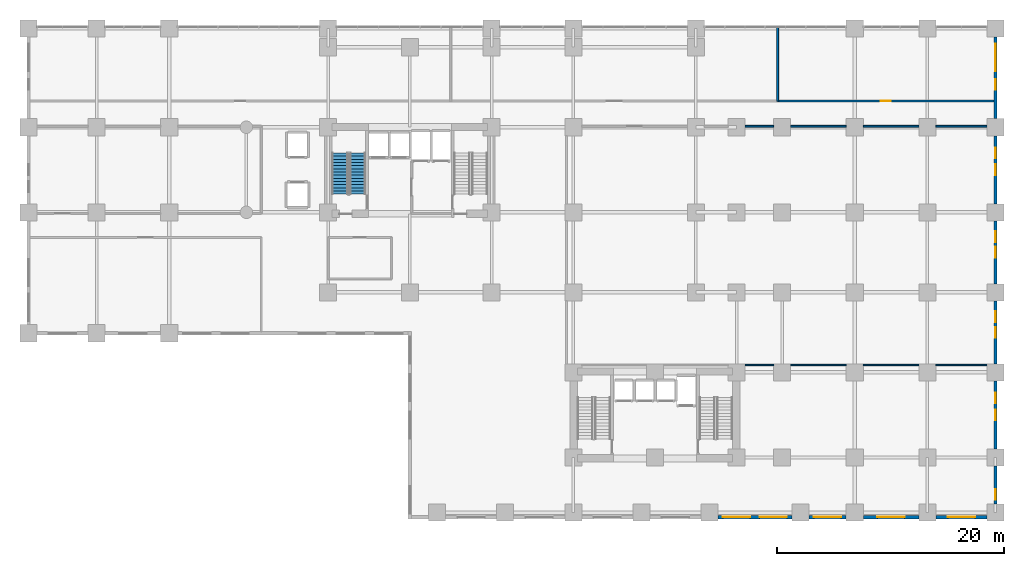
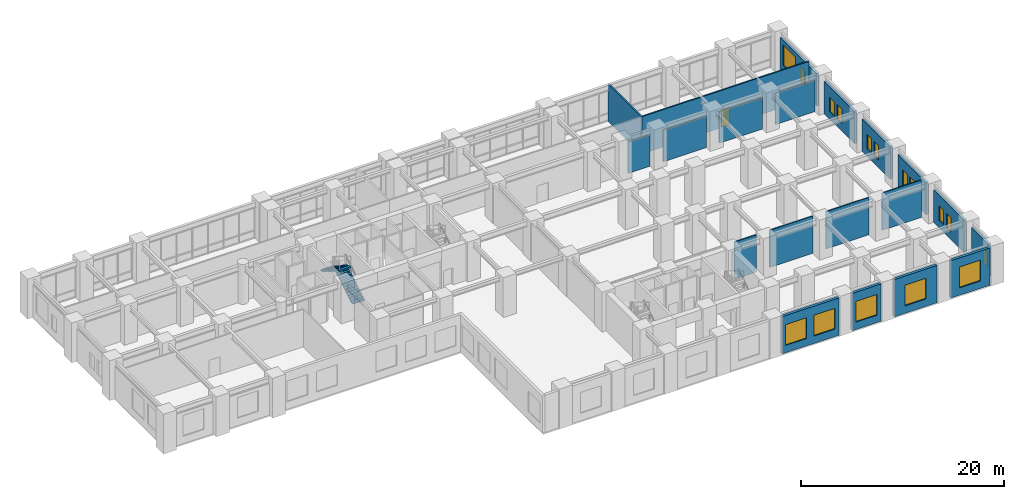
# One storey, part 18 of 22: 20 walls, 16 windows, 2 stair flights, 1 door, 17 openings, 1 element without a shape of its own.
"""IFC4 building model written with IfcOpenShell, lengths in metres."""

from ifc_helpers import new_model, si_unit, direction, frame, frame_2d, origin, place, context, subcontext, project, spatial, polyline, rectangle, outline, extrude, material, layer, layer_set, type_object, element, fill, aggregate, save


model = new_model("IFC4")

# Units and contexts
model_context = context("Model", 3, precision=1e-05, world=origin(), true_north=direction((0.0, 1.0)))
body_context = subcontext(model_context, "Body", "Model", "MODEL_VIEW")
ifc_project = project(units=[si_unit("LENGTHUNIT", "METRE"), si_unit("AREAUNIT", "SQUARE_METRE"), si_unit("VOLUMEUNIT", "CUBIC_METRE"), si_unit("PLANEANGLEUNIT", "RADIAN"), si_unit("MASSUNIT", "GRAM", prefix="KILO")], contexts=[model_context])

# Site, building, storey
site_placement = place(None, origin())
site = spatial("IfcSite", under=ifc_project, at=site_placement, CompositionType="ELEMENT")
building_placement = place(site_placement, origin())
building = spatial("IfcBuilding", under=site, at=building_placement, Name="Kaliganga Portal Commons", CompositionType="ELEMENT")
storey_placement = place(building_placement, frame((0.0, 0.0, 5.39990234375)))
storey = spatial("IfcBuildingStorey", under=building, at=storey_placement, Name="L01", CompositionType="ELEMENT", Elevation=5.39990234375)

# Wall, openings, windows
ifc_material_1 = material(Name="Precast concrete C40/50", Category="concrete")
ifc_layer_1 = layer(ifc_material_1, 0.300048828125)
ifc_layer_set_1 = layer_set([ifc_layer_1], Name="Precast concrete C40/50")
wall_type_1 = type_object("IfcWallType", Name="WL-EXT-POD-300", PredefinedType="STANDARD", material=ifc_layer_set_1)
wall_1_placement = place(storey_placement, frame((55.2490234375, 1.800048828125, 0.0), z_axis=(0.0, 0.0, 1.0), x_axis=(-1.0, 0.0, 0.0)))
wall_1 = element("IfcWall", 1, at=wall_1_placement, inside=storey, type_object=wall_type_1, Name="Exterior Envelope Wall L01 P1-E00-S6", PredefinedType="STANDARD", context=body_context, shape_type="SweptSolid", body=[
    extrude(rectangle(XDim=6.498046875, YDim=0.300048828125, at=frame_2d((3.2490234375, 0.0))), origin(), (0.0, 0.0, 1.0), 4.5),
])
opening_1_placement = place(wall_1_placement, frame((0.424560546875, 0.0, 0.89990234375)))
opening_1 = element("IfcOpeningElement", 2, at=opening_1_placement, cuts=wall_1, Name="Opening W-05", PredefinedType="OPENING", context=body_context, shape_type="SweptSolid", body=[
    extrude(rectangle(XDim=2.39990234375, YDim=2.5, at=frame_2d((1.199951171875, 1.25))), frame((0.0, 0.16015625, 0.0), z_axis=(0.0, -1.0, 0.0), x_axis=(1.0, 0.0, 0.0)), (0.0, 0.0, 1.0), 0.320068359375),
])
opening_2_placement = place(wall_1_placement, frame((3.673583984375, 0.0, 0.89990234375)))
opening_2 = element("IfcOpeningElement", 3, at=opening_2_placement, cuts=wall_1, Name="Opening W-05", PredefinedType="OPENING", context=body_context, shape_type="SweptSolid", body=[
    extrude(rectangle(XDim=2.39990234375, YDim=2.5, at=frame_2d((1.199951171875, 1.25))), frame((0.0, 0.16015625, 0.0), z_axis=(0.0, -1.0, 0.0), x_axis=(1.0, 0.0, 0.0)), (0.0, 0.0, 1.0), 0.320068359375),
])
ifc_material_2 = material(Name="Thermally Broken Aluminium and Low-E Double Glazing", Category="aluminium")
window_type_1 = type_object("IfcWindowType", Name="WIN-POD-2400", PartitioningType="TRIPLE_PANEL_VERTICAL", PredefinedType="WINDOW", material=ifc_material_2)
window_1_placement = place(opening_1_placement, origin())
window_1 = element("IfcWindow", 4, at=window_1_placement, inside=storey, type_object=window_type_1, Name="Facade Window L01-P1E00S6-00", OverallHeight=2.5, OverallWidth=2.39990234375, PartitioningType="SINGLE_PANEL", PredefinedType="WINDOW", context=body_context, shape_type="SweptSolid", body=[
    extrude(rectangle(XDim=2.39990234375, YDim=2.5, at=frame_2d((1.199951171875, 1.25))), frame((0.0, 0.030029296875, 0.0), z_axis=(0.0, -1.0, 0.0), x_axis=(1.0, 0.0, 0.0)), (0.0, 0.0, 1.0), 0.06005859375),
])
fill(opening_1, window_1)
window_2_placement = place(opening_2_placement, origin())
window_2 = element("IfcWindow", 5, at=window_2_placement, inside=storey, type_object=window_type_1, Name="Facade Window L01-P1E00S6-01", OverallHeight=2.5, OverallWidth=2.39990234375, PartitioningType="SINGLE_PANEL", PredefinedType="WINDOW", context=body_context, shape_type="SweptSolid", body=[
    extrude(rectangle(XDim=2.39990234375, YDim=2.5, at=frame_2d((1.199951171875, 1.25))), frame((0.0, 0.030029296875, 0.0), z_axis=(0.0, -1.0, 0.0), x_axis=(1.0, 0.0, 0.0)), (0.0, 0.0, 1.0), 0.06005859375),
])
fill(opening_2, window_2)

# Wall, opening, window
wall_2_placement = place(storey_placement, frame((60.049072265625, 1.800048828125, 0.0), z_axis=(0.0, 0.0, 1.0), x_axis=(-1.0, 0.0, 0.0)))
wall_2 = element("IfcWall", 6, at=wall_2_placement, inside=storey, type_object=wall_type_1, Name="Exterior Envelope Wall L01 P1-E00-S7", PredefinedType="STANDARD", context=body_context, shape_type="SweptSolid", body=[
    extrude(rectangle(XDim=3.298095703125, YDim=0.300048828125, at=frame_2d((1.64892578125, 0.0))), origin(), (0.0, 0.0, 1.0), 4.5),
])
opening_3_placement = place(wall_2_placement, frame((0.448974609375, 0.0, 0.89990234375)))
opening_3 = element("IfcOpeningElement", 7, at=opening_3_placement, cuts=wall_2, Name="Opening W-05", PredefinedType="OPENING", context=body_context, shape_type="SweptSolid", body=[
    extrude(rectangle(XDim=2.39990234375, YDim=2.5, at=frame_2d((1.199951171875, 1.25))), frame((0.0, 0.16015625, 0.0), z_axis=(0.0, -1.0, 0.0), x_axis=(1.0, 0.0, 0.0)), (0.0, 0.0, 1.0), 0.320068359375),
])
window_3_placement = place(opening_3_placement, origin())
window_3 = element("IfcWindow", 8, at=window_3_placement, inside=storey, type_object=window_type_1, Name="Facade Window L01-P1E00S7-00", OverallHeight=2.5, OverallWidth=2.39990234375, PartitioningType="SINGLE_PANEL", PredefinedType="WINDOW", context=body_context, shape_type="SweptSolid", body=[
    extrude(rectangle(XDim=2.39990234375, YDim=2.5, at=frame_2d((1.199951171875, 1.25))), frame((0.0, 0.030029296875, 0.0), z_axis=(0.0, -1.0, 0.0), x_axis=(1.0, 0.0, 0.0)), (0.0, 0.0, 1.0), 0.06005859375),
])
fill(opening_3, window_3)

wall_3_placement = place(storey_placement, frame((66.448974609375, 1.800048828125, 0.0), z_axis=(0.0, 0.0, 1.0), x_axis=(-1.0, 0.0, 0.0)))
wall_3 = element("IfcWall", 9, at=wall_3_placement, inside=storey, type_object=wall_type_1, Name="Exterior Envelope Wall L01 P1-E00-S8", PredefinedType="STANDARD", context=body_context, shape_type="SweptSolid", body=[
    extrude(rectangle(XDim=4.89794921875, YDim=0.300048828125, at=frame_2d((2.448974609375, 0.0))), origin(), (0.0, 0.0, 1.0), 4.5),
])
opening_4_placement = place(wall_3_placement, frame((1.2490234375, 0.0, 0.89990234375)))
opening_4 = element("IfcOpeningElement", 10, at=opening_4_placement, cuts=wall_3, Name="Opening W-05", PredefinedType="OPENING", context=body_context, shape_type="SweptSolid", body=[
    extrude(rectangle(XDim=2.39990234375, YDim=2.5, at=frame_2d((1.199951171875, 1.25))), frame((0.0, 0.16015625, 0.0), z_axis=(0.0, -1.0, 0.0), x_axis=(1.0, 0.0, 0.0)), (0.0, 0.0, 1.0), 0.320068359375),
])
window_4_placement = place(opening_4_placement, origin())
window_4 = element("IfcWindow", 11, at=window_4_placement, inside=storey, type_object=window_type_1, Name="Facade Window L01-P1E00S8-00", OverallHeight=2.5, OverallWidth=2.39990234375, PartitioningType="SINGLE_PANEL", PredefinedType="WINDOW", context=body_context, shape_type="SweptSolid", body=[
    extrude(rectangle(XDim=2.39990234375, YDim=2.5, at=frame_2d((1.199951171875, 1.25))), frame((0.0, 0.030029296875, 0.0), z_axis=(0.0, -1.0, 0.0), x_axis=(1.0, 0.0, 0.0)), (0.0, 0.0, 1.0), 0.06005859375),
])
fill(opening_4, window_4)

wall_4_placement = place(storey_placement, frame((72.448974609375, 1.800048828125, 0.0), z_axis=(0.0, 0.0, 1.0), x_axis=(-1.0, 0.0, 0.0)))
wall_4 = element("IfcWall", 12, at=wall_4_placement, inside=storey, type_object=wall_type_1, Name="Exterior Envelope Wall L01 P1-E00-S9", PredefinedType="STANDARD", context=body_context, shape_type="SweptSolid", body=[
    extrude(rectangle(XDim=4.498046875, YDim=0.300048828125, at=frame_2d((2.2490234375, 0.0))), origin(), (0.0, 0.0, 1.0), 4.5),
])
opening_5_placement = place(wall_4_placement, frame((1.049072265625, 0.0, 0.89990234375)))
opening_5 = element("IfcOpeningElement", 13, at=opening_5_placement, cuts=wall_4, Name="Opening W-05", PredefinedType="OPENING", context=body_context, shape_type="SweptSolid", body=[
    extrude(rectangle(XDim=2.39990234375, YDim=2.5, at=frame_2d((1.199951171875, 1.25))), frame((0.0, 0.16015625, 0.0), z_axis=(0.0, -1.0, 0.0), x_axis=(1.0, 0.0, 0.0)), (0.0, 0.0, 1.0), 0.320068359375),
])
window_5_placement = place(opening_5_placement, origin())
window_5 = element("IfcWindow", 14, at=window_5_placement, inside=storey, type_object=window_type_1, Name="Facade Window L01-P1E00S9-00", OverallHeight=2.5, OverallWidth=2.39990234375, PartitioningType="SINGLE_PANEL", PredefinedType="WINDOW", context=body_context, shape_type="SweptSolid", body=[
    extrude(rectangle(XDim=2.39990234375, YDim=2.5, at=frame_2d((1.199951171875, 1.25))), frame((0.0, 0.030029296875, 0.0), z_axis=(0.0, -1.0, 0.0), x_axis=(1.0, 0.0, 0.0)), (0.0, 0.0, 1.0), 0.06005859375),
])
fill(opening_5, window_5)

wall_5_placement = place(storey_placement, frame((73.199951171875, 6.299072265625, 0.0), z_axis=(0.0, 0.0, 1.0), x_axis=(0.0, -1.0, 0.0)))
wall_5 = element("IfcWall", 15, at=wall_5_placement, inside=storey, type_object=wall_type_1, Name="Exterior Envelope Wall L01 P1-E01-S1", PredefinedType="STANDARD", context=body_context, shape_type="SweptSolid", body=[
    extrude(rectangle(XDim=3.34814453125, YDim=0.300048828125, at=frame_2d((1.674072265625, 0.0))), origin(), (0.0, 0.0, 1.0), 3.900146484375),
])
opening_6_placement = place(wall_5_placement, frame((2.029296875, 0.0, 0.89990234375)))
opening_6 = element("IfcOpeningElement", 16, at=opening_6_placement, cuts=wall_5, Name="Opening W-04", PredefinedType="OPENING", context=body_context, shape_type="SweptSolid", body=[
    extrude(rectangle(XDim=0.949951171875, YDim=1.75, at=frame_2d((0.47509765625, 0.875))), frame((0.0, 0.16015625, 0.0), z_axis=(0.0, -1.0, 0.0), x_axis=(1.0, 0.0, 0.0)), (0.0, 0.0, 1.0), 0.320068359375),
])
window_type_2 = type_object("IfcWindowType", Name="WIN-NARROW-950", PartitioningType="SINGLE_PANEL", PredefinedType="WINDOW", material=ifc_material_2)
window_6_placement = place(opening_6_placement, origin())
window_6 = element("IfcWindow", 17, at=window_6_placement, inside=storey, type_object=window_type_2, Name="Facade Window L01-P1E01S1-N2", OverallHeight=1.75, OverallWidth=0.949951171875, PartitioningType="SINGLE_PANEL", PredefinedType="WINDOW", context=body_context, shape_type="SweptSolid", body=[
    extrude(rectangle(XDim=0.949951171875, YDim=1.75, at=frame_2d((0.47509765625, 0.875))), frame((0.0, 0.030029296875, 0.0), z_axis=(0.0, -1.0, 0.0), x_axis=(1.0, 0.0, 0.0)), (0.0, 0.0, 1.0), 0.06005859375),
])
fill(opening_6, window_6)

# Wall, openings, windows
wall_6_placement = place(storey_placement, frame((73.199951171875, 13.799072265625, 0.0), z_axis=(0.0, 0.0, 1.0), x_axis=(0.0, -1.0, 0.0)))
wall_6 = element("IfcWall", 18, at=wall_6_placement, inside=storey, type_object=wall_type_1, Name="Exterior Envelope Wall L01 P1-E01-S2", PredefinedType="STANDARD", context=body_context, shape_type="SweptSolid", body=[
    extrude(rectangle(XDim=5.998046875, YDim=0.300048828125, at=frame_2d((2.9990234375, 0.0))), origin(), (0.0, 0.0, 1.0), 3.900146484375),
])
opening_7_placement = place(wall_6_placement, frame((2.52392578125, 0.0, 0.89990234375)))
opening_7 = element("IfcOpeningElement", 19, at=opening_7_placement, cuts=wall_6, Name="Opening W-04", PredefinedType="OPENING", context=body_context, shape_type="SweptSolid", body=[
    extrude(rectangle(XDim=0.949951171875, YDim=1.75, at=frame_2d((0.47509765625, 0.875))), frame((0.0, 0.16015625, 0.0), z_axis=(0.0, -1.0, 0.0), x_axis=(1.0, 0.0, 0.0)), (0.0, 0.0, 1.0), 0.320068359375),
])
opening_8_placement = place(wall_6_placement, frame((1.03662109375, 0.0, 0.89990234375)))
opening_8 = element("IfcOpeningElement", 20, at=opening_8_placement, cuts=wall_6, Name="Opening W-04", PredefinedType="OPENING", context=body_context, shape_type="SweptSolid", body=[
    extrude(rectangle(XDim=0.949951171875, YDim=1.75, at=frame_2d((0.47509765625, 0.875))), frame((0.0, 0.16015625, 0.0), z_axis=(0.0, -1.0, 0.0), x_axis=(1.0, 0.0, 0.0)), (0.0, 0.0, 1.0), 0.320068359375),
])
window_7_placement = place(opening_7_placement, origin())
window_7 = element("IfcWindow", 21, at=window_7_placement, inside=storey, type_object=window_type_2, Name="Facade Window L01-P1E01S2-N0", OverallHeight=1.75, OverallWidth=0.949951171875, PartitioningType="SINGLE_PANEL", PredefinedType="WINDOW", context=body_context, shape_type="SweptSolid", body=[
    extrude(rectangle(XDim=0.949951171875, YDim=1.75, at=frame_2d((0.47509765625, 0.875))), frame((0.0, 0.030029296875, 0.0), z_axis=(0.0, -1.0, 0.0), x_axis=(1.0, 0.0, 0.0)), (0.0, 0.0, 1.0), 0.06005859375),
])
fill(opening_7, window_7)
window_8_placement = place(opening_8_placement, origin())
window_8 = element("IfcWindow", 22, at=window_8_placement, inside=storey, type_object=window_type_2, Name="Facade Window L01-P1E01S2-N1", OverallHeight=1.75, OverallWidth=0.949951171875, PartitioningType="SINGLE_PANEL", PredefinedType="WINDOW", context=body_context, shape_type="SweptSolid", body=[
    extrude(rectangle(XDim=0.949951171875, YDim=1.75, at=frame_2d((0.47509765625, 0.875))), frame((0.0, 0.030029296875, 0.0), z_axis=(0.0, -1.0, 0.0), x_axis=(1.0, 0.0, 0.0)), (0.0, 0.0, 1.0), 0.06005859375),
])
fill(opening_8, window_8)

wall_7_placement = place(storey_placement, frame((73.199951171875, 20.84912109375, 0.0), z_axis=(0.0, 0.0, 1.0), x_axis=(0.0, -1.0, 0.0)))
wall_7 = element("IfcWall", 23, at=wall_7_placement, inside=storey, type_object=wall_type_1, Name="Exterior Envelope Wall L01 P1-E01-S3", PredefinedType="STANDARD", context=body_context, shape_type="SweptSolid", body=[
    extrude(rectangle(XDim=5.548095703125, YDim=0.300048828125, at=frame_2d((2.77392578125, 0.0))), origin(), (0.0, 0.0, 1.0), 3.900146484375),
])
opening_9_placement = place(wall_7_placement, frame((2.299072265625, 0.0, 0.89990234375)))
opening_9 = element("IfcOpeningElement", 24, at=opening_9_placement, cuts=wall_7, Name="Opening W-04", PredefinedType="OPENING", context=body_context, shape_type="SweptSolid", body=[
    extrude(rectangle(XDim=0.949951171875, YDim=1.75, at=frame_2d((0.47509765625, 0.875))), frame((0.0, 0.16015625, 0.0), z_axis=(0.0, -1.0, 0.0), x_axis=(1.0, 0.0, 0.0)), (0.0, 0.0, 1.0), 0.320068359375),
])
opening_10_placement = place(wall_7_placement, frame((0.923095703125, 0.0, 0.89990234375)))
opening_10 = element("IfcOpeningElement", 25, at=opening_10_placement, cuts=wall_7, Name="Opening W-04", PredefinedType="OPENING", context=body_context, shape_type="SweptSolid", body=[
    extrude(rectangle(XDim=0.949951171875, YDim=1.75, at=frame_2d((0.47509765625, 0.875))), frame((0.0, 0.16015625, 0.0), z_axis=(0.0, -1.0, 0.0), x_axis=(1.0, 0.0, 0.0)), (0.0, 0.0, 1.0), 0.320068359375),
])
window_9_placement = place(opening_9_placement, origin())
window_9 = element("IfcWindow", 26, at=window_9_placement, inside=storey, type_object=window_type_2, Name="Facade Window L01-P1E01S3-N0", OverallHeight=1.75, OverallWidth=0.949951171875, PartitioningType="SINGLE_PANEL", PredefinedType="WINDOW", context=body_context, shape_type="SweptSolid", body=[
    extrude(rectangle(XDim=0.949951171875, YDim=1.75, at=frame_2d((0.47509765625, 0.875))), frame((0.0, 0.030029296875, 0.0), z_axis=(0.0, -1.0, 0.0), x_axis=(1.0, 0.0, 0.0)), (0.0, 0.0, 1.0), 0.06005859375),
])
fill(opening_9, window_9)
window_10_placement = place(opening_10_placement, origin())
window_10 = element("IfcWindow", 27, at=window_10_placement, inside=storey, type_object=window_type_2, Name="Facade Window L01-P1E01S3-N1", OverallHeight=1.75, OverallWidth=0.949951171875, PartitioningType="SINGLE_PANEL", PredefinedType="WINDOW", context=body_context, shape_type="SweptSolid", body=[
    extrude(rectangle(XDim=0.949951171875, YDim=1.75, at=frame_2d((0.47509765625, 0.875))), frame((0.0, 0.030029296875, 0.0), z_axis=(0.0, -1.0, 0.0), x_axis=(1.0, 0.0, 0.0)), (0.0, 0.0, 1.0), 0.06005859375),
])
fill(opening_10, window_10)

wall_8_placement = place(storey_placement, frame((73.199951171875, 27.89892578125, 0.0), z_axis=(0.0, 0.0, 1.0), x_axis=(0.0, -1.0, 0.0)))
wall_8 = element("IfcWall", 28, at=wall_8_placement, inside=storey, type_object=wall_type_1, Name="Exterior Envelope Wall L01 P1-E01-S4", PredefinedType="STANDARD", context=body_context, shape_type="SweptSolid", body=[
    extrude(rectangle(XDim=5.5478515625, YDim=0.300048828125, at=frame_2d((2.77392578125, 0.0))), origin(), (0.0, 0.0, 1.0), 3.900146484375),
])
opening_11_placement = place(wall_8_placement, frame((2.299072265625, 0.0, 0.89990234375)))
opening_11 = element("IfcOpeningElement", 29, at=opening_11_placement, cuts=wall_8, Name="Opening W-04", PredefinedType="OPENING", context=body_context, shape_type="SweptSolid", body=[
    extrude(rectangle(XDim=0.949951171875, YDim=1.75, at=frame_2d((0.47509765625, 0.875))), frame((0.0, 0.16015625, 0.0), z_axis=(0.0, -1.0, 0.0), x_axis=(1.0, 0.0, 0.0)), (0.0, 0.0, 1.0), 0.320068359375),
])
opening_12_placement = place(wall_8_placement, frame((0.923095703125, 0.0, 0.89990234375)))
opening_12 = element("IfcOpeningElement", 30, at=opening_12_placement, cuts=wall_8, Name="Opening W-04", PredefinedType="OPENING", context=body_context, shape_type="SweptSolid", body=[
    extrude(rectangle(XDim=0.949951171875, YDim=1.75, at=frame_2d((0.47509765625, 0.875))), frame((0.0, 0.16015625, 0.0), z_axis=(0.0, -1.0, 0.0), x_axis=(1.0, 0.0, 0.0)), (0.0, 0.0, 1.0), 0.320068359375),
])
window_11_placement = place(opening_11_placement, origin())
window_11 = element("IfcWindow", 31, at=window_11_placement, inside=storey, type_object=window_type_2, Name="Facade Window L01-P1E01S4-N0", OverallHeight=1.75, OverallWidth=0.949951171875, PartitioningType="SINGLE_PANEL", PredefinedType="WINDOW", context=body_context, shape_type="SweptSolid", body=[
    extrude(rectangle(XDim=0.949951171875, YDim=1.75, at=frame_2d((0.47509765625, 0.875))), frame((0.0, 0.030029296875, 0.0), z_axis=(0.0, -1.0, 0.0), x_axis=(1.0, 0.0, 0.0)), (0.0, 0.0, 1.0), 0.06005859375),
])
fill(opening_11, window_11)
window_12_placement = place(opening_12_placement, origin())
window_12 = element("IfcWindow", 32, at=window_12_placement, inside=storey, type_object=window_type_2, Name="Facade Window L01-P1E01S4-N1", OverallHeight=1.75, OverallWidth=0.949951171875, PartitioningType="SINGLE_PANEL", PredefinedType="WINDOW", context=body_context, shape_type="SweptSolid", body=[
    extrude(rectangle(XDim=0.949951171875, YDim=1.75, at=frame_2d((0.47509765625, 0.875))), frame((0.0, 0.030029296875, 0.0), z_axis=(0.0, -1.0, 0.0), x_axis=(1.0, 0.0, 0.0)), (0.0, 0.0, 1.0), 0.06005859375),
])
fill(opening_12, window_12)

wall_9_placement = place(storey_placement, frame((73.199951171875, 35.39892578125, 0.0), z_axis=(0.0, 0.0, 1.0), x_axis=(0.0, -1.0, 0.0)))
wall_9 = element("IfcWall", 33, at=wall_9_placement, inside=storey, type_object=wall_type_1, Name="Exterior Envelope Wall L01 P1-E01-S5", PredefinedType="STANDARD", context=body_context, shape_type="SweptSolid", body=[
    extrude(rectangle(XDim=5.998046875, YDim=0.300048828125, at=frame_2d((2.9990234375, 0.0))), origin(), (0.0, 0.0, 1.0), 3.900146484375),
])
opening_13_placement = place(wall_9_placement, frame((2.52392578125, 0.0, 0.89990234375)))
opening_13 = element("IfcOpeningElement", 34, at=opening_13_placement, cuts=wall_9, Name="Opening W-04", PredefinedType="OPENING", context=body_context, shape_type="SweptSolid", body=[
    extrude(rectangle(XDim=0.949951171875, YDim=1.75, at=frame_2d((0.47509765625, 0.875))), frame((0.0, 0.16015625, 0.0), z_axis=(0.0, -1.0, 0.0), x_axis=(1.0, 0.0, 0.0)), (0.0, 0.0, 1.0), 0.320068359375),
])
opening_14_placement = place(wall_9_placement, frame((1.03662109375, 0.0, 0.89990234375)))
opening_14 = element("IfcOpeningElement", 35, at=opening_14_placement, cuts=wall_9, Name="Opening W-04", PredefinedType="OPENING", context=body_context, shape_type="SweptSolid", body=[
    extrude(rectangle(XDim=0.949951171875, YDim=1.75, at=frame_2d((0.47509765625, 0.875))), frame((0.0, 0.16015625, 0.0), z_axis=(0.0, -1.0, 0.0), x_axis=(1.0, 0.0, 0.0)), (0.0, 0.0, 1.0), 0.320068359375),
])
window_13_placement = place(opening_13_placement, origin())
window_13 = element("IfcWindow", 36, at=window_13_placement, inside=storey, type_object=window_type_2, Name="Facade Window L01-P1E01S5-N0", OverallHeight=1.75, OverallWidth=0.949951171875, PartitioningType="SINGLE_PANEL", PredefinedType="WINDOW", context=body_context, shape_type="SweptSolid", body=[
    extrude(rectangle(XDim=0.949951171875, YDim=1.75, at=frame_2d((0.47509765625, 0.875))), frame((0.0, 0.030029296875, 0.0), z_axis=(0.0, -1.0, 0.0), x_axis=(1.0, 0.0, 0.0)), (0.0, 0.0, 1.0), 0.06005859375),
])
fill(opening_13, window_13)
window_14_placement = place(opening_14_placement, origin())
window_14 = element("IfcWindow", 37, at=window_14_placement, inside=storey, type_object=window_type_2, Name="Facade Window L01-P1E01S5-N1", OverallHeight=1.75, OverallWidth=0.949951171875, PartitioningType="SINGLE_PANEL", PredefinedType="WINDOW", context=body_context, shape_type="SweptSolid", body=[
    extrude(rectangle(XDim=0.949951171875, YDim=1.75, at=frame_2d((0.47509765625, 0.875))), frame((0.0, 0.030029296875, 0.0), z_axis=(0.0, -1.0, 0.0), x_axis=(1.0, 0.0, 0.0)), (0.0, 0.0, 1.0), 0.06005859375),
])
fill(opening_14, window_14)

wall_10_placement = place(storey_placement, frame((73.199951171875, 44.09912109375, 0.0), z_axis=(0.0, 0.0, 1.0), x_axis=(0.0, -1.0, 0.0)))
wall_10 = element("IfcWall", 38, at=wall_10_placement, inside=storey, type_object=wall_type_1, Name="Exterior Envelope Wall L01 P1-E01-S6", PredefinedType="STANDARD", context=body_context, shape_type="SweptSolid", body=[
    extrude(rectangle(XDim=7.1982421875, YDim=0.300048828125, at=frame_2d((3.59912109375, 0.0))), origin(), (0.0, 0.0, 1.0), 3.900146484375),
])
opening_15_placement = place(wall_10_placement, frame((0.599609375, 0.0, 0.89990234375)))
opening_15 = element("IfcOpeningElement", 39, at=opening_15_placement, cuts=wall_10, Name="Opening W-05", PredefinedType="OPENING", context=body_context, shape_type="SweptSolid", body=[
    extrude(rectangle(XDim=2.39990234375, YDim=2.5, at=frame_2d((1.199951171875, 1.25))), frame((0.0, 0.16015625, 0.0), z_axis=(0.0, -1.0, 0.0), x_axis=(1.0, 0.0, 0.0)), (0.0, 0.0, 1.0), 0.320068359375),
])
opening_16_placement = place(wall_10_placement, frame((3.69970703125, 0.0, 0.89990234375)))
opening_16 = element("IfcOpeningElement", 40, at=opening_16_placement, cuts=wall_10, Name="Opening W-04", PredefinedType="OPENING", context=body_context, shape_type="SweptSolid", body=[
    extrude(rectangle(XDim=0.949951171875, YDim=1.75, at=frame_2d((0.47509765625, 0.875))), frame((0.0, 0.16015625, 0.0), z_axis=(0.0, -1.0, 0.0), x_axis=(1.0, 0.0, 0.0)), (0.0, 0.0, 1.0), 0.320068359375),
])
window_15_placement = place(opening_16_placement, origin())
window_15 = element("IfcWindow", 41, at=window_15_placement, inside=storey, type_object=window_type_2, Name="Facade Window L01-P1E01S6-N6", OverallHeight=1.75, OverallWidth=0.949951171875, PartitioningType="SINGLE_PANEL", PredefinedType="WINDOW", context=body_context, shape_type="SweptSolid", body=[
    extrude(rectangle(XDim=0.949951171875, YDim=1.75, at=frame_2d((0.47509765625, 0.875))), frame((0.0, 0.030029296875, 0.0), z_axis=(0.0, -1.0, 0.0), x_axis=(1.0, 0.0, 0.0)), (0.0, 0.0, 1.0), 0.06005859375),
])
fill(opening_16, window_15)
window_16_placement = place(opening_15_placement, origin())
window_16 = element("IfcWindow", 42, at=window_16_placement, inside=storey, type_object=window_type_1, Name="Facade Window L01-P1E01S6-00", OverallHeight=2.5, OverallWidth=2.39990234375, PartitioningType="SINGLE_PANEL", PredefinedType="WINDOW", context=body_context, shape_type="SweptSolid", body=[
    extrude(rectangle(XDim=2.39990234375, YDim=2.5, at=frame_2d((1.199951171875, 1.25))), frame((0.0, 0.030029296875, 0.0), z_axis=(0.0, -1.0, 0.0), x_axis=(1.0, 0.0, 0.0)), (0.0, 0.0, 1.0), 0.06005859375),
])
fill(opening_15, window_16)

# Walls
ifc_material_3 = material(Name="Fire-Rated Gypsum Board on Steel Stud", Category="steel")
ifc_layer_2 = layer(ifc_material_3, 0.14990234375)
ifc_layer_set_2 = layer_set([ifc_layer_2], Name="Fire-Rated Gypsum Board on Steel Stud")
wall_type_2 = type_object("IfcWallType", Name="WL-PART-CORR-150", PredefinedType="PARTITIONING", material=ifc_layer_set_2)
wall_11_placement = place(storey_placement, frame((51.14990234375, 36.239990234375, 0.0), z_axis=(0.0, 0.0, 1.0), x_axis=(1.0, 0.0, 0.0)))
element("IfcWall", 43, at=wall_11_placement, inside=storey, type_object=wall_type_2, Name="Interior Partition L01-003", PredefinedType="PARTITIONING", context=body_context, shape_type="SweptSolid", body=[
    extrude(rectangle(XDim=2.5, YDim=0.14990234375, at=frame_2d((1.25, 0.0))), origin(), (0.0, 0.0, 1.0), 3.800048828125),
])
wall_12_placement = place(storey_placement, frame((55.14990234375, 36.239990234375, 0.0), z_axis=(0.0, 0.0, 1.0), x_axis=(1.0, 0.0, 0.0)))
element("IfcWall", 44, at=wall_12_placement, inside=storey, type_object=wall_type_2, Name="Interior Partition L01-004", PredefinedType="PARTITIONING", context=body_context, shape_type="SweptSolid", body=[
    extrude(rectangle(XDim=4.900146484375, YDim=0.14990234375, at=frame_2d((2.4501953125, 0.0))), origin(), (0.0, 0.0, 1.0), 3.800048828125),
])
wall_13_placement = place(storey_placement, frame((61.550048828125, 36.239990234375, 0.0), z_axis=(0.0, 0.0, 1.0), x_axis=(1.0, 0.0, 0.0)))
element("IfcWall", 45, at=wall_13_placement, inside=storey, type_object=wall_type_2, Name="Interior Partition L01-005", PredefinedType="PARTITIONING", context=body_context, shape_type="SweptSolid", body=[
    extrude(rectangle(XDim=4.89990234375, YDim=0.14990234375, at=frame_2d((2.449951171875, 0.0))), origin(), (0.0, 0.0, 1.0), 3.800048828125),
])
wall_14_placement = place(storey_placement, frame((67.949951171875, 36.239990234375, 0.0), z_axis=(0.0, 0.0, 1.0), x_axis=(1.0, 0.0, 0.0)))
element("IfcWall", 46, at=wall_14_placement, inside=storey, type_object=wall_type_2, Name="Interior Partition L01-006", PredefinedType="PARTITIONING", context=body_context, shape_type="SweptSolid", body=[
    extrude(rectangle(XDim=4.5, YDim=0.14990234375, at=frame_2d((2.25, 0.0))), origin(), (0.0, 0.0, 1.0), 3.800048828125),
])

# Wall, opening, door
wall_15_placement = place(storey_placement, frame((54.0, 38.4599609375, 0.0), z_axis=(0.0, 0.0, 1.0), x_axis=(1.0, 0.0, 0.0)))
wall_15 = element("IfcWall", 47, at=wall_15_placement, inside=storey, type_object=wall_type_2, Name="Interior Partition L01-021", PredefinedType="PARTITIONING", context=body_context, shape_type="SweptSolid", body=[
    extrude(rectangle(XDim=19.068115234375, YDim=0.14990234375, at=frame_2d((9.5341796875, 0.0))), origin(), (0.0, 0.0, 1.0), 4.5),
])
opening_17_placement = place(wall_15_placement, frame((9.083984375, 0.0, 0.0)))
opening_17 = element("IfcOpeningElement", 48, at=opening_17_placement, cuts=wall_15, Name="Opening RD-01", PredefinedType="OPENING", context=body_context, shape_type="SweptSolid", body=[
    extrude(rectangle(XDim=0.89990234375, YDim=2.080078125, at=frame_2d((0.449951171875, 1.0400390625))), frame((0.0, 0.0849609375, 0.0), z_axis=(0.0, -1.0, 0.0), x_axis=(1.0, 0.0, 0.0)), (0.0, 0.0, 1.0), 0.169921875),
])
ifc_material_4 = material(Name="Engineered Timber Flush Door", Category="wood")
door_type = type_object("IfcDoorType", Name="DR-ROOM-900", OperationType="NOTDEFINED", PredefinedType="DOOR", material=ifc_material_4)
door_placement = place(opening_17_placement, origin())
door = element("IfcDoor", 49, at=door_placement, inside=storey, type_object=door_type, Name="Interior Door L01-CKIT", OperationType="SINGLE_SWING_RIGHT", OverallHeight=2.080078125, OverallWidth=0.89990234375, PredefinedType="DOOR", context=body_context, shape_type="SweptSolid", body=[
    extrude(rectangle(XDim=0.89990234375, YDim=2.080078125, at=frame_2d((0.449951171875, 1.0400390625))), frame((0.0, 0.02490234375, 0.0), z_axis=(0.0, -1.0, 0.0), x_axis=(1.0, 0.0, 0.0)), (0.0, 0.0, 1.0), 0.050048828125),
])
fill(opening_17, door)

# Walls
ifc_material_5 = material(Name="Moisture-Resistant Gypsum Partition", Category="gypsum")
ifc_layer_3 = layer(ifc_material_5, 0.114990234375)
ifc_layer_set_3 = layer_set([ifc_layer_3], Name="Moisture-Resistant Gypsum Partition")
wall_type_3 = type_object("IfcWallType", Name="WL-PART-ROOM-115", PredefinedType="PARTITIONING", material=ifc_layer_set_3)
wall_16_placement = place(storey_placement, frame((51.14990234375, 15.199951171875, 0.0), z_axis=(0.0, 0.0, 1.0), x_axis=(1.0, 0.0, 0.0)))
element("IfcWall", 50, at=wall_16_placement, inside=storey, type_object=wall_type_3, Name="Interior Partition L01-026", PredefinedType="PARTITIONING", context=body_context, shape_type="SweptSolid", body=[
    extrude(rectangle(XDim=2.5, YDim=0.114990234375, at=frame_2d((1.25, 0.0))), origin(), (0.0, 0.0, 1.0), 4.5),
])
wall_17_placement = place(storey_placement, frame((55.14990234375, 15.199951171875, 0.0), z_axis=(0.0, 0.0, 1.0), x_axis=(1.0, 0.0, 0.0)))
element("IfcWall", 51, at=wall_17_placement, inside=storey, type_object=wall_type_3, Name="Interior Partition L01-027", PredefinedType="PARTITIONING", context=body_context, shape_type="SweptSolid", body=[
    extrude(rectangle(XDim=4.900146484375, YDim=0.114990234375, at=frame_2d((2.4501953125, 0.0))), origin(), (0.0, 0.0, 1.0), 4.5),
])
wall_18_placement = place(storey_placement, frame((61.550048828125, 15.199951171875, 0.0), z_axis=(0.0, 0.0, 1.0), x_axis=(1.0, 0.0, 0.0)))
element("IfcWall", 52, at=wall_18_placement, inside=storey, type_object=wall_type_3, Name="Interior Partition L01-028", PredefinedType="PARTITIONING", context=body_context, shape_type="SweptSolid", body=[
    extrude(rectangle(XDim=4.89990234375, YDim=0.114990234375, at=frame_2d((2.449951171875, 0.0))), origin(), (0.0, 0.0, 1.0), 4.5),
])
wall_19_placement = place(storey_placement, frame((67.949951171875, 15.199951171875, 0.0), z_axis=(0.0, 0.0, 1.0), x_axis=(1.0, 0.0, 0.0)))
element("IfcWall", 53, at=wall_19_placement, inside=storey, type_object=wall_type_3, Name="Interior Partition L01-029", PredefinedType="PARTITIONING", context=body_context, shape_type="SweptSolid", body=[
    extrude(rectangle(XDim=4.5, YDim=0.114990234375, at=frame_2d((2.25, 0.0))), origin(), (0.0, 0.0, 1.0), 4.5),
])
ifc_material_6 = material(Name="Twin-Stud Acoustic Gypsum Partition", Category="gypsum")
ifc_layer_4 = layer(ifc_material_6, 0.1650390625)
ifc_layer_set_4 = layer_set([ifc_layer_4], Name="Twin-Stud Acoustic Gypsum Partition")
wall_type_4 = type_object("IfcWallType", Name="WL-PART-UNIT-165", PredefinedType="PARTITIONING", material=ifc_layer_set_4)
wall_20_placement = place(storey_placement, frame((54.0, 38.4599609375, 0.0), z_axis=(0.0, 0.0, 1.0), x_axis=(0.0, 1.0, 0.0)))
element("IfcWall", 54, at=wall_20_placement, inside=storey, type_object=wall_type_4, Name="Interior Partition L01-032", PredefinedType="PARTITIONING", context=body_context, shape_type="SweptSolid", body=[
    extrude(rectangle(XDim=6.52001953125, YDim=0.1650390625, at=frame_2d((3.260009765625, 0.0))), origin(), (0.0, 0.0, 1.0), 4.5),
])

# Stair, stair flights
ifc_material_7 = material(Name="Concrete C40/50", Category="concrete")
stair_type = type_object("IfcStairType", Name="ST-CORE-DOGLEG", PredefinedType="HALF_TURN_STAIR", material=ifc_material_7)
stair_placement = place(storey_placement, origin())
stair = element("IfcStair", 55, at=stair_placement, inside=storey, type_object=stair_type, Name="L01 Protected Exit Stair ST-A1", PredefinedType="HALF_TURN_STAIR")
stair_flight_type = type_object("IfcStairFlightType", Name="STF-RC-1400", PredefinedType="STRAIGHT", material=ifc_material_7)
stair_flight_1_placement = place(storey_placement, frame((17.0, 30.25, 0.0), z_axis=(0.0, 0.0, 1.0), x_axis=(0.0, 1.0, 0.0)))
stair_flight_1 = element("IfcStairFlight", 56, at=stair_flight_1_placement, type_object=stair_flight_type, Name="ST-A1 flight 1", NumberOfRisers=14, NumberOfTreads=13, PredefinedType="STRAIGHT", RiserHeight=0.171428571, TreadLength=0.28, context=body_context, shape_type="SweptSolid", body=[
    extrude(outline(polyline([(0.0, 0.0), (0.0, 0.17138671875), (0.280029296875, 0.17138671875), (0.280029296875, 0.3427734375), (0.56005859375, 0.3427734375), (0.56005859375, 0.514404296875), (0.840087890625, 0.514404296875), (0.840087890625, 0.685791015625), (1.1201171875, 0.685791015625), (1.1201171875, 0.857177734375), (1.39990234375, 0.857177734375), (1.39990234375, 1.028564453125), (1.679931640625, 1.028564453125), (1.679931640625, 1.199951171875), (1.9599609375, 1.199951171875), (1.9599609375, 1.371337890625), (2.239990234375, 1.371337890625), (2.239990234375, 1.54296875), (2.52001953125, 1.54296875), (2.52001953125, 1.71435546875), (2.800048828125, 1.71435546875), (2.800048828125, 1.8857421875), (3.080078125, 1.8857421875), (3.080078125, 2.05712890625), (3.360107421875, 2.05712890625), (3.360107421875, 2.228515625), (3.639892578125, 2.228515625), (3.639892578125, 2.39990234375), (3.639892578125, 2.052734375), (0.287109375, 0.0), (0.0, 0.0)])), frame((0.0, 0.699951171875, 0.0), z_axis=(0.0, -1.0, 0.0), x_axis=(1.0, 0.0, 0.0)), (0.0, 0.0, 1.0), 1.39990234375),
])
stair_flight_2_placement = place(storey_placement, frame((15.449951171875, 33.889892578125, 2.400146484375), z_axis=(0.0, 0.0, 1.0), x_axis=(0.0, -1.0, 0.0)))
stair_flight_2 = element("IfcStairFlight", 57, at=stair_flight_2_placement, type_object=stair_flight_type, Name="ST-A1 flight 2", NumberOfRisers=14, NumberOfTreads=13, PredefinedType="STRAIGHT", RiserHeight=0.171428571, TreadLength=0.28, context=body_context, shape_type="SweptSolid", body=[
    extrude(outline(polyline([(0.0, 0.0), (0.0, 0.17138671875), (0.280029296875, 0.17138671875), (0.280029296875, 0.3427734375), (0.56005859375, 0.3427734375), (0.56005859375, 0.514404296875), (0.840087890625, 0.514404296875), (0.840087890625, 0.685791015625), (1.1201171875, 0.685791015625), (1.1201171875, 0.857177734375), (1.39990234375, 0.857177734375), (1.39990234375, 1.028564453125), (1.679931640625, 1.028564453125), (1.679931640625, 1.199951171875), (1.9599609375, 1.199951171875), (1.9599609375, 1.371337890625), (2.239990234375, 1.371337890625), (2.239990234375, 1.54296875), (2.52001953125, 1.54296875), (2.52001953125, 1.71435546875), (2.800048828125, 1.71435546875), (2.800048828125, 1.8857421875), (3.080078125, 1.8857421875), (3.080078125, 2.05712890625), (3.360107421875, 2.05712890625), (3.360107421875, 2.228515625), (3.639892578125, 2.228515625), (3.639892578125, 2.39990234375), (3.639892578125, 2.052734375), (0.287109375, 0.0), (0.0, 0.0)])), frame((0.0, 0.699951171875, 0.0), z_axis=(0.0, -1.0, 0.0), x_axis=(1.0, 0.0, 0.0)), (0.0, 0.0, 1.0), 1.39990234375),
])
aggregate(stair, [stair_flight_1, stair_flight_2])

save(model, "model.ifc")
